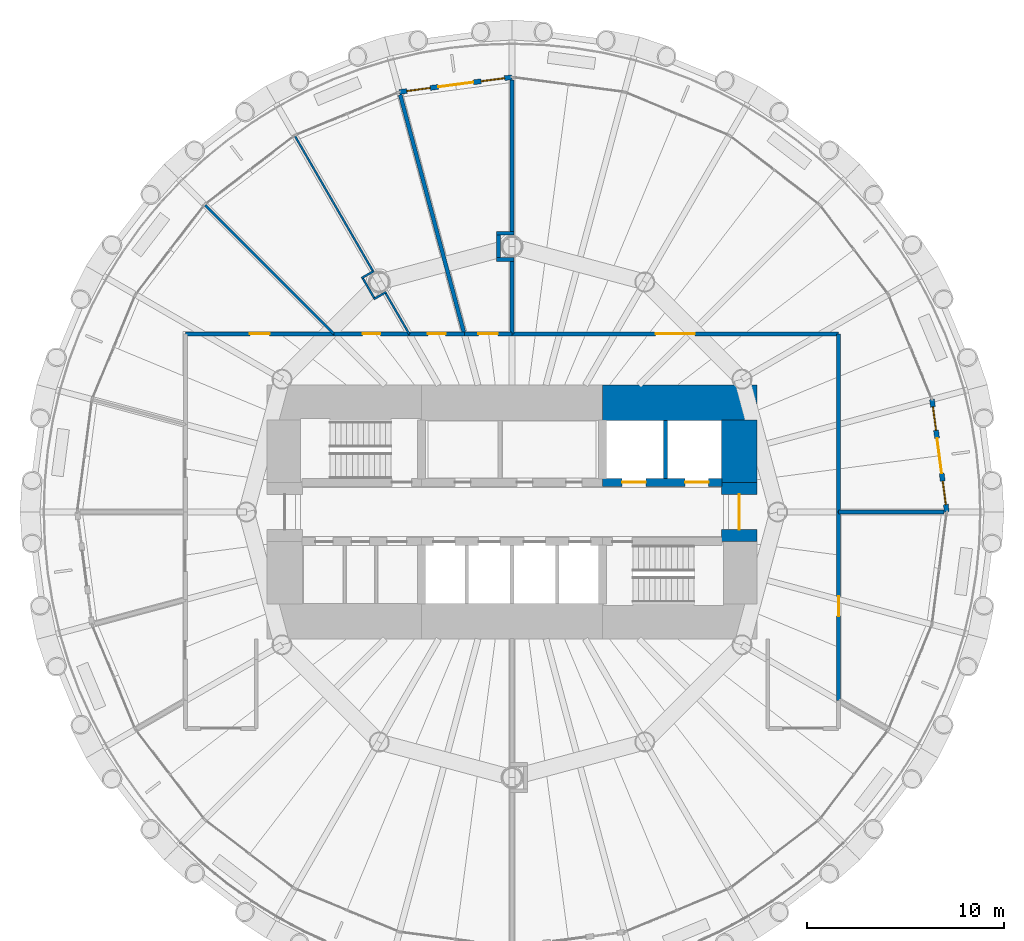
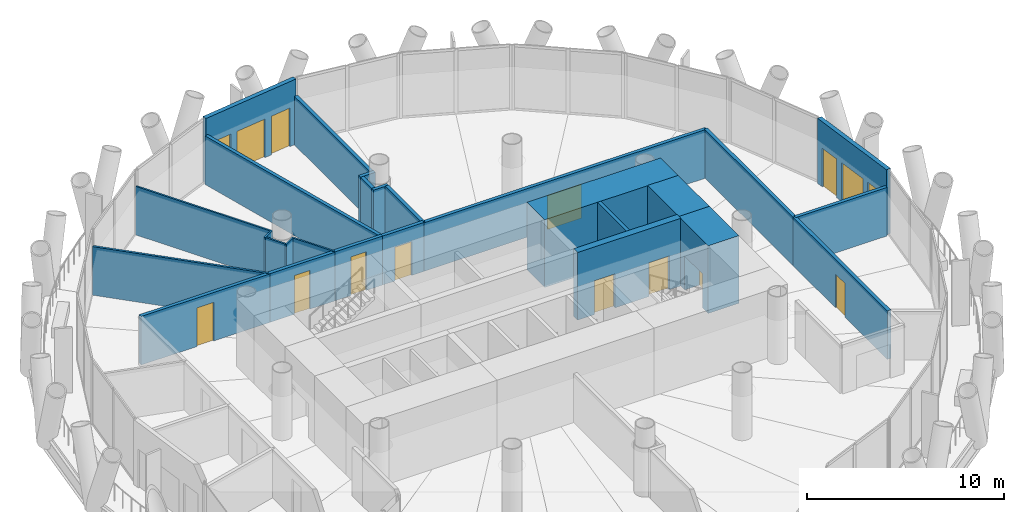
# One storey, part 10 of 15: 27 walls, 11 doors, 4 windows, 15 openings.
"""IFC4 building model written with IfcOpenShell, lengths in metres."""

from ifc_helpers import new_model, si_unit, direction, frame, frame_2d, origin, place, context, subcontext, project, spatial, rectangle, extrude, material, layer, layer_set, type_object, element, fill, save


model = new_model("IFC4")

# Units and contexts
model_context = context("Model", 3, precision=1e-05, world=origin(), true_north=direction((0.0, 1.0)))
body_context = subcontext(model_context, "Body", "Model", "MODEL_VIEW")
ifc_project = project(units=[si_unit("LENGTHUNIT", "METRE"), si_unit("AREAUNIT", "SQUARE_METRE"), si_unit("VOLUMEUNIT", "CUBIC_METRE"), si_unit("PLANEANGLEUNIT", "RADIAN"), si_unit("MASSUNIT", "GRAM", prefix="KILO")], contexts=[model_context])

# Site, building, storey
site_placement = place(None, origin())
site = spatial("IfcSite", under=ifc_project, at=site_placement, CompositionType="ELEMENT")
building_placement = place(site_placement, origin())
building = spatial("IfcBuilding", under=site, at=building_placement, Name="Qaws Media Tower", CompositionType="ELEMENT")
storey_placement = place(building_placement, frame((0.0, 0.0, 177.199951171875)))
storey = spatial("IfcBuildingStorey", under=building, at=storey_placement, Name="L40", CompositionType="ELEMENT", Elevation=177.199951171875)

# Wall, openings, door, windows
ifc_material_1 = material(Name="Precast concrete, exposed finish", Category="concrete")
ifc_layer_1 = layer(ifc_material_1, 0.25)
ifc_layer_set_1 = layer_set([ifc_layer_1], Name="Balcony door wall 250")
wall_type_1 = type_object("IfcWallType", Name="Balcony door wall 250", PredefinedType="SOLIDWALL", material=ifc_layer_set_1)
wall_1_placement = place(storey_placement, frame((82.10009765625, 50.0, 0.0), z_axis=(0.0, 0.0, 1.0), x_axis=(-0.130547557269, 0.991442048378, 0.0)))
wall_1 = element("IfcWall", 1, at=wall_1_placement, inside=storey, type_object=wall_type_1, Name="W221 EW1 balcony door wall L40-01", PredefinedType="SOLIDWALL", context=body_context, shape_type="SweptSolid", body=[
    extrude(rectangle(XDim=5.769287109375, YDim=0.25, at=frame_2d((2.884765625, 0.0))), origin(), (0.0, 0.0, 1.0), 4.0400390625),
])
opening_1_placement = place(wall_1_placement, frame((1.984619140625, 0.0, 0.0)))
opening_1 = element("IfcOpeningElement", 2, at=opening_1_placement, cuts=wall_1, Name="Opening D7", PredefinedType="OPENING", context=body_context, shape_type="SweptSolid", body=[
    extrude(rectangle(XDim=1.800048828125, YDim=2.39990234375, at=frame_2d((0.89990234375, 1.199951171875))), frame((0.0, 0.135009765625, 0.0), z_axis=(0.0, -1.0, 0.0), x_axis=(1.0, 0.0, 0.0)), (0.0, 0.0, 1.0), 0.27001953125),
])
opening_2_placement = place(wall_1_placement, frame((0.384521484375, 0.0, 0.0)))
opening_2 = element("IfcOpeningElement", 3, at=opening_2_placement, cuts=wall_1, Name="Opening W1", PredefinedType="OPENING", context=body_context, shape_type="SweptSolid", body=[
    extrude(rectangle(XDim=1.199951171875, YDim=2.39990234375, at=frame_2d((0.60009765625, 1.199951171875))), frame((0.0, 0.135009765625, 0.0), z_axis=(0.0, -1.0, 0.0), x_axis=(1.0, 0.0, 0.0)), (0.0, 0.0, 1.0), 0.27001953125),
])
opening_3_placement = place(wall_1_placement, frame((4.1845703125, 0.0, 0.0)))
opening_3 = element("IfcOpeningElement", 4, at=opening_3_placement, cuts=wall_1, Name="Opening W1", PredefinedType="OPENING", context=body_context, shape_type="SweptSolid", body=[
    extrude(rectangle(XDim=1.199951171875, YDim=2.39990234375, at=frame_2d((0.60009765625, 1.199951171875))), frame((0.0, 0.135009765625, 0.0), z_axis=(0.0, -1.0, 0.0), x_axis=(1.0, 0.0, 0.0)), (0.0, 0.0, 1.0), 0.27001953125),
])
ifc_material_2 = material(Name="Aluminium and clear glass", Category="aluminium")
door_type_1 = type_object("IfcDoorType", Name="Balcony door pair 1800", OperationType="DOUBLE_DOOR_SLIDING", PredefinedType="DOOR", material=ifc_material_2)
door_1_placement = place(opening_1_placement, origin())
door_1 = element("IfcDoor", 5, at=door_1_placement, inside=storey, type_object=door_type_1, Name="D7 balcony door L40-01 in wall W221", OperationType="DOUBLE_DOOR_SLIDING", OverallHeight=2.39990234375, OverallWidth=1.800048828125, PredefinedType="DOOR", context=body_context, shape_type="SweptSolid", body=[
    extrude(rectangle(XDim=1.800048828125, YDim=2.39990234375, at=frame_2d((0.89990234375, 1.199951171875))), frame((0.0, 0.02490234375, 0.0), z_axis=(0.0, -1.0, 0.0), x_axis=(1.0, 0.0, 0.0)), (0.0, 0.0, 1.0), 0.050048828125),
])
fill(opening_1, door_1)
ifc_material_3 = material(Name="Aluminium and clear glass", Category="aluminium")
window_type = type_object("IfcWindowType", Name="Balcony side window 1200", PartitioningType="SINGLE_PANEL", PredefinedType="WINDOW", material=ifc_material_3)
window_1_placement = place(opening_2_placement, origin())
window_1 = element("IfcWindow", 6, at=window_1_placement, inside=storey, type_object=window_type, Name="W1 balcony side light L40-01L", OverallHeight=2.39990234375, OverallWidth=1.199951171875, PartitioningType="SINGLE_PANEL", PredefinedType="WINDOW", context=body_context, shape_type="SweptSolid", body=[
    extrude(rectangle(XDim=1.199951171875, YDim=2.39990234375, at=frame_2d((0.60009765625, 1.199951171875))), frame((0.0, 0.030029296875, 0.0), z_axis=(0.0, -1.0, 0.0), x_axis=(1.0, 0.0, 0.0)), (0.0, 0.0, 1.0), 0.06005859375),
])
fill(opening_2, window_1)
window_2_placement = place(opening_3_placement, origin())
window_2 = element("IfcWindow", 7, at=window_2_placement, inside=storey, type_object=window_type, Name="W1 balcony side light L40-01R", OverallHeight=2.39990234375, OverallWidth=1.199951171875, PartitioningType="SINGLE_PANEL", PredefinedType="WINDOW", context=body_context, shape_type="SweptSolid", body=[
    extrude(rectangle(XDim=1.199951171875, YDim=2.39990234375, at=frame_2d((0.60009765625, 1.199951171875))), frame((0.0, 0.030029296875, 0.0), z_axis=(0.0, -1.0, 0.0), x_axis=(1.0, 0.0, 0.0)), (0.0, 0.0, 1.0), 0.06005859375),
])
fill(opening_3, window_2)

wall_2_placement = place(storey_placement, frame((60.0, 72.10009765625, 0.0), z_axis=(0.0, 0.0, 1.0), x_axis=(-0.991442048378, -0.130547557269, 0.0)))
wall_2 = element("IfcWall", 8, at=wall_2_placement, inside=storey, type_object=wall_type_1, Name="W220 EW1 balcony door wall L40-07", PredefinedType="SOLIDWALL", context=body_context, shape_type="SweptSolid", body=[
    extrude(rectangle(XDim=5.769287109375, YDim=0.25, at=frame_2d((2.884765625, 0.0))), origin(), (0.0, 0.0, 1.0), 4.0400390625),
])
opening_4_placement = place(wall_2_placement, frame((1.984619140625, 0.0, 0.0)))
opening_4 = element("IfcOpeningElement", 9, at=opening_4_placement, cuts=wall_2, Name="Opening D7", PredefinedType="OPENING", context=body_context, shape_type="SweptSolid", body=[
    extrude(rectangle(XDim=1.800048828125, YDim=2.39990234375, at=frame_2d((0.89990234375, 1.199951171875))), frame((0.0, 0.135009765625, 0.0), z_axis=(0.0, -1.0, 0.0), x_axis=(1.0, 0.0, 0.0)), (0.0, 0.0, 1.0), 0.27001953125),
])
opening_5_placement = place(wall_2_placement, frame((0.384521484375, 0.0, 0.0)))
opening_5 = element("IfcOpeningElement", 10, at=opening_5_placement, cuts=wall_2, Name="Opening W1", PredefinedType="OPENING", context=body_context, shape_type="SweptSolid", body=[
    extrude(rectangle(XDim=1.199951171875, YDim=2.39990234375, at=frame_2d((0.60009765625, 1.199951171875))), frame((0.0, 0.135009765625, 0.0), z_axis=(0.0, -1.0, 0.0), x_axis=(1.0, 0.0, 0.0)), (0.0, 0.0, 1.0), 0.27001953125),
])
opening_6_placement = place(wall_2_placement, frame((4.1845703125, 0.0, 0.0)))
opening_6 = element("IfcOpeningElement", 11, at=opening_6_placement, cuts=wall_2, Name="Opening W1", PredefinedType="OPENING", context=body_context, shape_type="SweptSolid", body=[
    extrude(rectangle(XDim=1.199951171875, YDim=2.39990234375, at=frame_2d((0.60009765625, 1.199951171875))), frame((0.0, 0.135009765625, 0.0), z_axis=(0.0, -1.0, 0.0), x_axis=(1.0, 0.0, 0.0)), (0.0, 0.0, 1.0), 0.27001953125),
])
door_2_placement = place(opening_4_placement, origin())
door_2 = element("IfcDoor", 12, at=door_2_placement, inside=storey, type_object=door_type_1, Name="D7 balcony door L40-07 in wall W220", OperationType="DOUBLE_DOOR_SLIDING", OverallHeight=2.39990234375, OverallWidth=1.800048828125, PredefinedType="DOOR", context=body_context, shape_type="SweptSolid", body=[
    extrude(rectangle(XDim=1.800048828125, YDim=2.39990234375, at=frame_2d((0.89990234375, 1.199951171875))), frame((0.0, 0.02490234375, 0.0), z_axis=(0.0, -1.0, 0.0), x_axis=(1.0, 0.0, 0.0)), (0.0, 0.0, 1.0), 0.050048828125),
])
fill(opening_4, door_2)
window_3_placement = place(opening_5_placement, origin())
window_3 = element("IfcWindow", 13, at=window_3_placement, inside=storey, type_object=window_type, Name="W1 balcony side light L40-07L", OverallHeight=2.39990234375, OverallWidth=1.199951171875, PartitioningType="SINGLE_PANEL", PredefinedType="WINDOW", context=body_context, shape_type="SweptSolid", body=[
    extrude(rectangle(XDim=1.199951171875, YDim=2.39990234375, at=frame_2d((0.60009765625, 1.199951171875))), frame((0.0, 0.030029296875, 0.0), z_axis=(0.0, -1.0, 0.0), x_axis=(1.0, 0.0, 0.0)), (0.0, 0.0, 1.0), 0.06005859375),
])
fill(opening_5, window_3)
window_4_placement = place(opening_6_placement, origin())
window_4 = element("IfcWindow", 14, at=window_4_placement, inside=storey, type_object=window_type, Name="W1 balcony side light L40-07R", OverallHeight=2.39990234375, OverallWidth=1.199951171875, PartitioningType="SINGLE_PANEL", PredefinedType="WINDOW", context=body_context, shape_type="SweptSolid", body=[
    extrude(rectangle(XDim=1.199951171875, YDim=2.39990234375, at=frame_2d((0.60009765625, 1.199951171875))), frame((0.0, 0.030029296875, 0.0), z_axis=(0.0, -1.0, 0.0), x_axis=(1.0, 0.0, 0.0)), (0.0, 0.0, 1.0), 0.06005859375),
])
fill(opening_6, window_4)

# Wall, openings, doors
ifc_material_4 = material(Name="Concrete C60/75", Category="concrete")
ifc_layer_2 = layer(ifc_material_4, 0.39990234375)
ifc_layer_set_2 = layer_set([ifc_layer_2], Name="Core inner wall 400")
wall_type_2 = type_object("IfcWallType", Name="Core inner wall 400", PredefinedType="SHEAR", material=ifc_layer_set_2)
wall_3_placement = place(storey_placement, frame((64.60009765625, 51.5, 0.0), z_axis=(0.0, 0.0, 1.0), x_axis=(1.0, 0.0, 0.0)))
wall_3 = element("IfcWall", 15, at=wall_3_placement, inside=storey, type_object=wall_type_2, Name="W326 SW4 core wall SPNE L40", PredefinedType="SHEAR", context=body_context, shape_type="SweptSolid", body=[
    extrude(rectangle(XDim=6.06982421875, YDim=0.39990234375, at=frame_2d((3.034912109375, 0.0))), origin(), (0.0, 0.0, 1.0), 4.199951171875),
])
opening_7_placement = place(wall_3_placement, frame((1.0, 0.0, 0.0)))
opening_7 = element("IfcOpeningElement", 16, at=opening_7_placement, cuts=wall_3, Name="Opening LD2", PredefinedType="OPENING", context=body_context, shape_type="SweptSolid", body=[
    extrude(rectangle(XDim=1.199951171875, YDim=2.10009765625, at=frame_2d((0.60009765625, 1.050048828125))), frame((0.0, 0.2099609375, 0.0), z_axis=(0.0, -1.0, 0.0), x_axis=(1.0, 0.0, 0.0)), (0.0, 0.0, 1.0), 0.419921875),
])
opening_8_placement = place(wall_3_placement, frame((4.199951171875, 0.0, 0.0)))
opening_8 = element("IfcOpeningElement", 17, at=opening_8_placement, cuts=wall_3, Name="Opening LD2", PredefinedType="OPENING", context=body_context, shape_type="SweptSolid", body=[
    extrude(rectangle(XDim=1.199951171875, YDim=2.10009765625, at=frame_2d((0.60009765625, 1.050048828125))), frame((0.0, 0.2099609375, 0.0), z_axis=(0.0, -1.0, 0.0), x_axis=(1.0, 0.0, 0.0)), (0.0, 0.0, 1.0), 0.419921875),
])
ifc_material_5 = material(Name="Steel, fire rated", Category="steel")
door_type_2 = type_object("IfcDoorType", Name="Lift landing door 1200", OperationType="SLIDING_TO_LEFT", PredefinedType="DOOR", material=ifc_material_5)
door_3_placement = place(opening_7_placement, origin())
door_3 = element("IfcDoor", 18, at=door_3_placement, inside=storey, type_object=door_type_2, Name="FL1 landing door L40 in wall W326", OperationType="SLIDING_TO_LEFT", OverallHeight=2.10009765625, OverallWidth=1.199951171875, PredefinedType="DOOR", context=body_context, shape_type="SweptSolid", body=[
    extrude(rectangle(XDim=1.199951171875, YDim=2.10009765625, at=frame_2d((0.60009765625, 1.050048828125))), frame((0.0, 0.02490234375, 0.0), z_axis=(0.0, -1.0, 0.0), x_axis=(1.0, 0.0, 0.0)), (0.0, 0.0, 1.0), 0.050048828125),
])
fill(opening_7, door_3)
door_4_placement = place(opening_8_placement, origin())
door_4 = element("IfcDoor", 19, at=door_4_placement, inside=storey, type_object=door_type_2, Name="FL2 landing door L40 in wall W326", OperationType="SLIDING_TO_LEFT", OverallHeight=2.10009765625, OverallWidth=1.199951171875, PredefinedType="DOOR", context=body_context, shape_type="SweptSolid", body=[
    extrude(rectangle(XDim=1.199951171875, YDim=2.10009765625, at=frame_2d((0.60009765625, 1.050048828125))), frame((0.0, 0.02490234375, 0.0), z_axis=(0.0, -1.0, 0.0), x_axis=(1.0, 0.0, 0.0)), (0.0, 0.0, 1.0), 0.050048828125),
])
fill(opening_8, door_4)

# Wall
ifc_material_6 = material(Name="Concrete C60/75", Category="concrete")
ifc_layer_3 = layer(ifc_material_6, 1.800048828125)
ifc_layer_set_3 = layer_set([ifc_layer_3], Name="Core wall 1800")
wall_type_3 = type_object("IfcWallType", Name="Core wall 1800", PredefinedType="SHEAR", material=ifc_layer_set_3)
wall_4_placement = place(storey_placement, frame((64.60009765625, 55.550048828125, 0.0), z_axis=(0.0, 0.0, 1.0), x_axis=(1.0, 0.0, 0.0)))
element("IfcWall", 20, at=wall_4_placement, inside=storey, type_object=wall_type_3, Name="W423 SW11 core wall NE L40", PredefinedType="SHEAR", context=body_context, shape_type="SweptSolid", body=[
    extrude(rectangle(XDim=7.849853515625, YDim=1.800048828125, at=frame_2d((3.9248046875, 0.0))), origin(), (0.0, 0.0, 1.0), 4.199951171875),
])

# Wall, opening, door
wall_5_placement = place(storey_placement, frame((71.550048828125, 48.5, 0.0), z_axis=(0.0, 0.0, 1.0), x_axis=(0.0, 1.0, 0.0)))
wall_5 = element("IfcWall", 21, at=wall_5_placement, inside=storey, type_object=wall_type_3, Name="W427 SW11 core wall E L40", PredefinedType="SHEAR", context=body_context, shape_type="SweptSolid", body=[
    extrude(rectangle(XDim=3.0, YDim=1.800048828125, at=frame_2d((1.5, 0.0))), origin(), (0.0, 0.0, 1.0), 4.199951171875),
])
opening_9_placement = place(wall_5_placement, frame((0.60009765625, 0.0, 0.0)))
opening_9 = element("IfcOpeningElement", 22, at=opening_9_placement, cuts=wall_5, Name="Opening D2", PredefinedType="OPENING", context=body_context, shape_type="SweptSolid", body=[
    extrude(rectangle(XDim=1.800048828125, YDim=2.10009765625, at=frame_2d((0.89990234375, 1.050048828125))), frame((0.0, 0.909912109375, 0.0), z_axis=(0.0, -1.0, 0.0), x_axis=(1.0, 0.0, 0.0)), (0.0, 0.0, 1.0), 1.820068359375),
])
ifc_material_7 = material(Name="Steel and glass, fire rated", Category="steel")
door_type_3 = type_object("IfcDoorType", Name="Lobby door pair 1800 FD60", OperationType="DOUBLE_DOOR_DOUBLE_SWING", PredefinedType="DOOR", material=ifc_material_7)
door_5_placement = place(opening_9_placement, origin())
door_5 = element("IfcDoor", 23, at=door_5_placement, inside=storey, type_object=door_type_3, Name="D2 core lobby door E L40 in wall W427", OperationType="DOUBLE_DOOR_DOUBLE_SWING", OverallHeight=2.10009765625, OverallWidth=1.800048828125, PredefinedType="DOOR", context=body_context, shape_type="SweptSolid", body=[
    extrude(rectangle(XDim=1.800048828125, YDim=2.10009765625, at=frame_2d((0.89990234375, 1.050048828125))), frame((0.0, 0.02490234375, 0.0), z_axis=(0.0, -1.0, 0.0), x_axis=(1.0, 0.0, 0.0)), (0.0, 0.0, 1.0), 0.050048828125),
])
fill(opening_9, door_5)

# Walls
wall_6_placement = place(storey_placement, frame((71.550048828125, 51.5, 0.0), z_axis=(0.0, 0.0, 1.0), x_axis=(0.0, 1.0, 0.0)))
element("IfcWall", 24, at=wall_6_placement, inside=storey, type_object=wall_type_3, Name="W425 SW11 core wall EN L40", PredefinedType="SHEAR", context=body_context, shape_type="SweptSolid", body=[
    extrude(rectangle(XDim=3.169921875, YDim=1.800048828125, at=frame_2d((1.5849609375, 0.0))), origin(), (0.0, 0.0, 1.0), 4.199951171875),
])
ifc_material_8 = material(Name="Two layers gypsum board each side on 75 studs, insulated", Category="gypsum")
ifc_layer_4 = layer(ifc_material_8, 0.125)
ifc_layer_set_4 = layer_set([ifc_layer_4], Name="Meeting room partition 125 Rw 48")
wall_type_4 = type_object("IfcWallType", Name="Meeting room partition 125 Rw 48", PredefinedType="PARTITIONING", material=ifc_layer_set_4)
wall_7_placement = place(storey_placement, frame((50.948974609375, 59.051025390625, 0.0), z_axis=(0.0, 0.0, 1.0), x_axis=(-0.707106781187, 0.707106781187, 0.0)))
element("IfcWall", 25, at=wall_7_placement, inside=storey, type_object=wall_type_4, Name="W587 IW5 partition L40", PredefinedType="PARTITIONING", context=body_context, shape_type="SweptSolid", body=[
    extrude(rectangle(XDim=9.260009765625, YDim=0.125, at=frame_2d((4.6298828125, 0.0))), origin(), (0.0, 0.0, 1.0), 3.011962890625),
])
ifc_material_9 = material(Name="Gypsum board on 70 metal studs, single layer each side", Category="gypsum")
ifc_layer_5 = layer(ifc_material_9, 0.10009765625)
ifc_layer_set_5 = layer_set([ifc_layer_5], Name="Office stud partition 100")
wall_type_5 = type_object("IfcWallType", Name="Office stud partition 100", PredefinedType="PARTITIONING", material=ifc_layer_set_5)
for number, where, z_axis, x_axis, name in (
    (26, (53.602294921875, 61.18115234375, 0.0), (0.0, 0.0, 1.0), (-0.866068339032, -0.499925626596, 0.0), "W686 IW4 partition return L40"),
    (27, (52.984375, 62.25146484375, 0.0), (0.0, 0.0, 1.0), (-0.866068339032, -0.499925626596, 0.0), "W684 IW4 partition return L40"),
):
    element("IfcWall", number, at=place(storey_placement, frame(where, z_axis=z_axis, x_axis=x_axis)), inside=storey, type_object=wall_type_5, Name=name, PredefinedType="PARTITIONING", context=body_context, shape_type="SweptSolid", body=[
        extrude(rectangle(XDim=0.72802734375, YDim=0.10009765625, at=frame_2d((0.364013671875, 0.0))), origin(), (0.0, 0.0, 1.0), 3.011962890625),
    ])
wall_8_placement = place(storey_placement, frame((52.989990234375, 60.885498046875, 0.0), z_axis=(0.0, 0.0, 1.0), x_axis=(-0.499976747263, 0.866038828342, 0.0)))
element("IfcWall", 28, at=wall_8_placement, inside=storey, type_object=wall_type_5, Name="W685 IW4 partition return L40", PredefinedType="PARTITIONING", context=body_context, shape_type="SweptSolid", body=[
    extrude(rectangle(XDim=1.1357421875, YDim=0.10009765625, at=frame_2d((0.56787109375, 0.0))), origin(), (0.0, 0.0, 1.0), 3.011962890625),
])
wall_9_placement = place(storey_placement, frame((54.780029296875, 59.041259765625, 0.0), z_axis=(0.0, 0.0, 1.0), x_axis=(-0.500014005679, 0.866017317451, 0.0)))
element("IfcWall", 29, at=wall_9_placement, inside=storey, type_object=wall_type_5, Name="W674 IW4 partition L40", PredefinedType="PARTITIONING", context=body_context, shape_type="SweptSolid", body=[
    extrude(rectangle(XDim=2.39208984375, YDim=0.10009765625, at=frame_2d((1.196044921875, 0.0))), origin(), (0.0, 0.0, 1.0), 3.0400390625),
])
wall_10_placement = place(storey_placement, frame((52.916015625, 62.269775390625, 0.0), z_axis=(0.0, 0.0, 1.0), x_axis=(-0.500001837861, 0.866024342692, 0.0)))
element("IfcWall", 30, at=wall_10_placement, inside=storey, type_object=wall_type_5, Name="W687 IW4 partition L40", PredefinedType="PARTITIONING", context=body_context, shape_type="SweptSolid", body=[
    extrude(rectangle(XDim=7.89208984375, YDim=0.10009765625, at=frame_2d((3.946044921875, 0.0))), origin(), (0.0, 0.0, 1.0), 3.011962890625),
])

# Wall, opening, door
ifc_material_10 = material(Name="Gypsum board on galvanised metal studs, acoustic double stud, deflection head", Category="gypsum")
ifc_layer_6 = layer(ifc_material_10, 0.199951171875)
ifc_layer_set_6 = layer_set([ifc_layer_6], Name="Room partition 200")
wall_type_6 = type_object("IfcWallType", Name="Room partition 200", PredefinedType="PARTITIONING", material=ifc_layer_set_6)
wall_11_placement = place(storey_placement, frame((43.39990234375, 59.050048828125, 0.0), z_axis=(0.0, 0.0, 1.0), x_axis=(1.0, 0.0, 0.0)))
wall_11 = element("IfcWall", 31, at=wall_11_placement, inside=storey, type_object=wall_type_6, Name="W1390 IW3 partition L40", PredefinedType="PARTITIONING", context=body_context, shape_type="SweptSolid", body=[
    extrude(rectangle(XDim=7.550048828125, YDim=0.199951171875, at=frame_2d((3.77490234375, 0.0))), origin(), (0.0, 0.0, 1.0), 3.011962890625),
])
opening_10_placement = place(wall_11_placement, frame((3.27490234375, 0.0, 0.0)))
opening_10 = element("IfcOpeningElement", 32, at=opening_10_placement, cuts=wall_11, Name="Opening D13", PredefinedType="OPENING", context=body_context, shape_type="SweptSolid", body=[
    extrude(rectangle(XDim=1.0, YDim=2.39990234375, at=frame_2d((0.5, 1.199951171875))), frame((0.0, 0.10986328125, 0.0), z_axis=(0.0, -1.0, 0.0), x_axis=(1.0, 0.0, 0.0)), (0.0, 0.0, 1.0), 0.219970703125),
])
ifc_material_11 = material(Name="Frameless toughened glass, acoustic seals", Category="glass")
door_type_4 = type_object("IfcDoorType", Name="Glazed meeting room door 1000x2400", OperationType="SINGLE_SWING_LEFT", PredefinedType="DOOR", material=ifc_material_11)
door_6_placement = place(opening_10_placement, origin())
door_6 = element("IfcDoor", 33, at=door_6_placement, inside=storey, type_object=door_type_4, Name="D13 Meeting room door L40 in wall W1390", OperationType="SINGLE_SWING_LEFT", OverallHeight=2.39990234375, OverallWidth=1.0, PredefinedType="DOOR", context=body_context, shape_type="SweptSolid", body=[
    extrude(rectangle(XDim=1.0, YDim=2.39990234375, at=frame_2d((0.5, 1.199951171875))), frame((0.0, 0.02490234375, 0.0), z_axis=(0.0, -1.0, 0.0), x_axis=(1.0, 0.0, 0.0)), (0.0, 0.0, 1.0), 0.050048828125),
])
fill(opening_10, door_6)

wall_12_placement = place(storey_placement, frame((50.949951171875, 59.050048828125, 0.0), z_axis=(0.0, 0.0, 1.0), x_axis=(1.0, 0.0, 0.0)))
wall_12 = element("IfcWall", 34, at=wall_12_placement, inside=storey, type_object=wall_type_6, Name="W1281 IW3 partition L40", PredefinedType="PARTITIONING", context=body_context, shape_type="SweptSolid", body=[
    extrude(rectangle(XDim=3.824951171875, YDim=0.199951171875, at=frame_2d((1.91259765625, 0.0))), origin(), (0.0, 0.0, 1.0), 3.02001953125),
])
opening_11_placement = place(wall_12_placement, frame((1.46240234375, 0.0, 0.0)))
opening_11 = element("IfcOpeningElement", 35, at=opening_11_placement, cuts=wall_12, Name="Opening D12", PredefinedType="OPENING", context=body_context, shape_type="SweptSolid", body=[
    extrude(rectangle(XDim=0.89990234375, YDim=2.39990234375, at=frame_2d((0.449951171875, 1.199951171875))), frame((0.0, 0.10986328125, 0.0), z_axis=(0.0, -1.0, 0.0), x_axis=(1.0, 0.0, 0.0)), (0.0, 0.0, 1.0), 0.219970703125),
])
ifc_material_12 = material(Name="Timber veneered, full height", Category="wood")
door_type_5 = type_object("IfcDoorType", Name="Office door 900x2400", OperationType="SINGLE_SWING_LEFT", PredefinedType="DOOR", material=ifc_material_12)
door_7_placement = place(opening_11_placement, origin())
door_7 = element("IfcDoor", 36, at=door_7_placement, inside=storey, type_object=door_type_5, Name="D12 Office door L40 in wall W1281", OperationType="SINGLE_SWING_LEFT", OverallHeight=2.39990234375, OverallWidth=0.89990234375, PredefinedType="DOOR", context=body_context, shape_type="SweptSolid", body=[
    extrude(rectangle(XDim=0.89990234375, YDim=2.39990234375, at=frame_2d((0.449951171875, 1.199951171875))), frame((0.0, 0.02490234375, 0.0), z_axis=(0.0, -1.0, 0.0), x_axis=(1.0, 0.0, 0.0)), (0.0, 0.0, 1.0), 0.050048828125),
])
fill(opening_11, door_7)

wall_13_placement = place(storey_placement, frame((54.77490234375, 59.050048828125, 0.0), z_axis=(0.0, 0.0, 1.0), x_axis=(1.0, 0.0, 0.0)))
wall_13 = element("IfcWall", 37, at=wall_13_placement, inside=storey, type_object=wall_type_6, Name="W1282 IW3 partition L40", PredefinedType="PARTITIONING", context=body_context, shape_type="SweptSolid", body=[
    extrude(rectangle(XDim=2.80029296875, YDim=0.199951171875, at=frame_2d((1.400146484375, 0.0))), origin(), (0.0, 0.0, 1.0), 3.0400390625),
])
opening_12_placement = place(wall_13_placement, frame((0.949951171875, 0.0, 0.0)))
opening_12 = element("IfcOpeningElement", 38, at=opening_12_placement, cuts=wall_13, Name="Opening D12", PredefinedType="OPENING", context=body_context, shape_type="SweptSolid", body=[
    extrude(rectangle(XDim=0.89990234375, YDim=2.39990234375, at=frame_2d((0.449951171875, 1.199951171875))), frame((0.0, 0.10986328125, 0.0), z_axis=(0.0, -1.0, 0.0), x_axis=(1.0, 0.0, 0.0)), (0.0, 0.0, 1.0), 0.219970703125),
])
door_8_placement = place(opening_12_placement, origin())
door_8 = element("IfcDoor", 39, at=door_8_placement, inside=storey, type_object=door_type_5, Name="D12 Office door L40 in wall W1282", OperationType="SINGLE_SWING_LEFT", OverallHeight=2.39990234375, OverallWidth=0.89990234375, PredefinedType="DOOR", context=body_context, shape_type="SweptSolid", body=[
    extrude(rectangle(XDim=0.89990234375, YDim=2.39990234375, at=frame_2d((0.449951171875, 1.199951171875))), frame((0.0, 0.02490234375, 0.0), z_axis=(0.0, -1.0, 0.0), x_axis=(1.0, 0.0, 0.0)), (0.0, 0.0, 1.0), 0.050048828125),
])
fill(opening_12, door_8)

wall_14_placement = place(storey_placement, frame((57.5751953125, 59.050048828125, 0.0), z_axis=(0.0, 0.0, 1.0), x_axis=(1.0, 0.0, 0.0)))
wall_14 = element("IfcWall", 40, at=wall_14_placement, inside=storey, type_object=wall_type_6, Name="W1283 IW3 partition L40", PredefinedType="PARTITIONING", context=body_context, shape_type="SweptSolid", body=[
    extrude(rectangle(XDim=2.4248046875, YDim=0.199951171875, at=frame_2d((1.21240234375, 0.0))), origin(), (0.0, 0.0, 1.0), 3.0400390625),
])
opening_13_placement = place(wall_14_placement, frame((0.71240234375, 0.0, 0.0)))
opening_13 = element("IfcOpeningElement", 41, at=opening_13_placement, cuts=wall_14, Name="Opening D5", PredefinedType="OPENING", context=body_context, shape_type="SweptSolid", body=[
    extrude(rectangle(XDim=1.0, YDim=2.10009765625, at=frame_2d((0.5, 1.050048828125))), frame((0.0, 0.10986328125, 0.0), z_axis=(0.0, -1.0, 0.0), x_axis=(1.0, 0.0, 0.0)), (0.0, 0.0, 1.0), 0.219970703125),
])
ifc_material_13 = material(Name="Timber veneered, acoustic seal", Category="wood")
door_type_6 = type_object("IfcDoorType", Name="Room door 1000", OperationType="SINGLE_SWING_LEFT", PredefinedType="DOOR", material=ifc_material_13)
door_9_placement = place(opening_13_placement, origin())
door_9 = element("IfcDoor", 42, at=door_9_placement, inside=storey, type_object=door_type_6, Name="D5 Strategy reception door L40 in wall W1283", OperationType="SINGLE_SWING_LEFT", OverallHeight=2.10009765625, OverallWidth=1.0, PredefinedType="DOOR", context=body_context, shape_type="SweptSolid", body=[
    extrude(rectangle(XDim=1.0, YDim=2.10009765625, at=frame_2d((0.5, 1.050048828125))), frame((0.0, 0.02490234375, 0.0), z_axis=(0.0, -1.0, 0.0), x_axis=(1.0, 0.0, 0.0)), (0.0, 0.0, 1.0), 0.050048828125),
])
fill(opening_13, door_9)

wall_15_placement = place(storey_placement, frame((60.0, 59.050048828125, 0.0), z_axis=(0.0, 0.0, 1.0), x_axis=(1.0, 0.0, 0.0)))
wall_15 = element("IfcWall", 43, at=wall_15_placement, inside=storey, type_object=wall_type_6, Name="W1397 IW3 partition L40", PredefinedType="PARTITIONING", context=body_context, shape_type="SweptSolid", body=[
    extrude(rectangle(XDim=16.60009765625, YDim=0.199951171875, at=frame_2d((8.300048828125, 0.0))), origin(), (0.0, 0.0, 1.0), 3.011962890625),
])
opening_14_placement = place(wall_15_placement, frame((7.300048828125, 0.0, 0.0)))
opening_14 = element("IfcOpeningElement", 44, at=opening_14_placement, cuts=wall_15, Name="Opening D6", PredefinedType="OPENING", context=body_context, shape_type="SweptSolid", body=[
    extrude(rectangle(XDim=2.0, YDim=2.10009765625, at=frame_2d((1.0, 1.050048828125))), frame((0.0, 0.10986328125, 0.0), z_axis=(0.0, -1.0, 0.0), x_axis=(1.0, 0.0, 0.0)), (0.0, 0.0, 1.0), 0.219970703125),
])
ifc_material_14 = material(Name="Steel, acoustic, fire rated", Category="steel")
door_type_7 = type_object("IfcDoorType", Name="Room door pair 2000", OperationType="DOUBLE_DOOR_DOUBLE_SWING", PredefinedType="DOOR", material=ifc_material_14)
door_10_placement = place(opening_14_placement, origin())
door_10 = element("IfcDoor", 45, at=door_10_placement, inside=storey, type_object=door_type_7, Name="D6 Strategy office door L40 in wall W1397", OperationType="DOUBLE_DOOR_DOUBLE_SWING", OverallHeight=2.10009765625, OverallWidth=2.0, PredefinedType="DOOR", context=body_context, shape_type="SweptSolid", body=[
    extrude(rectangle(XDim=2.0, YDim=2.10009765625, at=frame_2d((1.0, 1.050048828125))), frame((0.0, 0.02490234375, 0.0), z_axis=(0.0, -1.0, 0.0), x_axis=(1.0, 0.0, 0.0)), (0.0, 0.0, 1.0), 0.050048828125),
])
fill(opening_14, door_10)

# Wall
wall_16_placement = place(storey_placement, frame((76.60009765625, 59.050048828125, 0.0), z_axis=(0.0, 0.0, 1.0), x_axis=(0.0, -1.0, 0.0)))
element("IfcWall", 46, at=wall_16_placement, inside=storey, type_object=wall_type_6, Name="W1403 IW3 partition L40", PredefinedType="PARTITIONING", context=body_context, shape_type="SweptSolid", body=[
    extrude(rectangle(XDim=9.050048828125, YDim=0.199951171875, at=frame_2d((4.52490234375, 0.0))), origin(), (0.0, 0.0, 1.0), 3.011962890625),
])

# Wall, opening, door
wall_17_placement = place(storey_placement, frame((76.60009765625, 50.0, 0.0), z_axis=(0.0, 0.0, 1.0), x_axis=(0.0, -1.0, 0.0)))
wall_17 = element("IfcWall", 47, at=wall_17_placement, inside=storey, type_object=wall_type_6, Name="W1401 IW3 partition L40", PredefinedType="PARTITIONING", context=body_context, shape_type="SweptSolid", body=[
    extrude(rectangle(XDim=9.583984375, YDim=0.199951171875, at=frame_2d((4.7919921875, 0.0))), origin(), (0.0, 0.0, 1.0), 3.011962890625),
])
opening_15_placement = place(wall_17_placement, frame((4.2919921875, 0.0, 0.0)))
opening_15 = element("IfcOpeningElement", 48, at=opening_15_placement, cuts=wall_17, Name="Opening D5", PredefinedType="OPENING", context=body_context, shape_type="SweptSolid", body=[
    extrude(rectangle(XDim=1.0, YDim=2.10009765625, at=frame_2d((0.5, 1.050048828125))), frame((0.0, 0.10986328125, 0.0), z_axis=(0.0, -1.0, 0.0), x_axis=(1.0, 0.0, 0.0)), (0.0, 0.0, 1.0), 0.219970703125),
])
door_11_placement = place(opening_15_placement, origin())
door_11 = element("IfcDoor", 49, at=door_11_placement, inside=storey, type_object=door_type_6, Name="D5 Communications office door L40 in wall W1401", OperationType="SINGLE_SWING_LEFT", OverallHeight=2.10009765625, OverallWidth=1.0, PredefinedType="DOOR", context=body_context, shape_type="SweptSolid", body=[
    extrude(rectangle(XDim=1.0, YDim=2.10009765625, at=frame_2d((0.5, 1.050048828125))), frame((0.0, 0.02490234375, 0.0), z_axis=(0.0, -1.0, 0.0), x_axis=(1.0, 0.0, 0.0)), (0.0, 0.0, 1.0), 0.050048828125),
])
fill(opening_15, door_11)

# Walls
wall_18_placement = place(storey_placement, frame((76.60009765625, 50.0, 0.0), z_axis=(0.0, 0.0, 1.0), x_axis=(1.0, 0.0, 0.0)))
element("IfcWall", 50, at=wall_18_placement, inside=storey, type_object=wall_type_6, Name="W1413 IW3 partition L40", PredefinedType="PARTITIONING", context=body_context, shape_type="SweptSolid", body=[
    extrude(rectangle(XDim=5.35986328125, YDim=0.199951171875, at=frame_2d((2.679931640625, 0.0))), origin(), (0.0, 0.0, 1.0), 3.011962890625),
])
for number, where, z_axis, x_axis, name in (
    (51, (60.10009765625, 62.83203125, 0.0), (0.0, 0.0, 1.0), (-1.0, 0.0, 0.0), "W1348 IW3 partition return L40"),
    (52, (60.10009765625, 64.16796875, 0.0), (0.0, 0.0, 1.0), (-1.0, 0.0, 0.0), "W1349 IW3 partition return L40"),
):
    element("IfcWall", number, at=place(storey_placement, frame(where, z_axis=z_axis, x_axis=x_axis)), inside=storey, type_object=wall_type_6, Name=name, PredefinedType="PARTITIONING", context=body_context, shape_type="SweptSolid", body=[
        extrude(rectangle(XDim=0.878173828125, YDim=0.199951171875, at=frame_2d((0.43896484375, 0.0))), origin(), (0.0, 0.0, 1.0), 3.011962890625),
    ])
wall_19_placement = place(storey_placement, frame((59.322021484375, 62.931884765625, 0.0), z_axis=(0.0, 0.0, 1.0), x_axis=(0.0, 1.0, 0.0)))
element("IfcWall", 53, at=wall_19_placement, inside=storey, type_object=wall_type_6, Name="W1343 IW3 partition return L40", PredefinedType="PARTITIONING", context=body_context, shape_type="SweptSolid", body=[
    extrude(rectangle(XDim=1.13623046875, YDim=0.199951171875, at=frame_2d((0.568115234375, 0.0))), origin(), (0.0, 0.0, 1.0), 3.011962890625),
])
wall_20_placement = place(storey_placement, frame((60.0, 59.0400390625, 0.0), z_axis=(0.0, 0.0, 1.0), x_axis=(0.0, 1.0, 0.0)))
element("IfcWall", 54, at=wall_20_placement, inside=storey, type_object=wall_type_6, Name="W1396 IW3 partition L40", PredefinedType="PARTITIONING", context=body_context, shape_type="SweptSolid", body=[
    extrude(rectangle(XDim=3.69189453125, YDim=0.199951171875, at=frame_2d((1.845947265625, 0.0))), origin(), (0.0, 0.0, 1.0), 3.0400390625),
])
wall_21_placement = place(storey_placement, frame((60.0, 64.26806640625, 0.0), z_axis=(0.0, 0.0, 1.0), x_axis=(0.0, 1.0, 0.0)))
element("IfcWall", 55, at=wall_21_placement, inside=storey, type_object=wall_type_6, Name="W1411 IW3 partition L40", PredefinedType="PARTITIONING", context=body_context, shape_type="SweptSolid", body=[
    extrude(rectangle(XDim=7.69189453125, YDim=0.199951171875, at=frame_2d((3.845947265625, 0.0))), origin(), (0.0, 0.0, 1.0), 3.011962890625),
])
wall_22_placement = place(storey_placement, frame((57.577392578125, 59.041015625, 0.0), z_axis=(0.0, 0.0, 1.0), x_axis=(-0.258809369707, 0.965928418752, 0.0)))
element("IfcWall", 56, at=wall_22_placement, inside=storey, type_object=wall_type_6, Name="W1409 IW3 partition L40", PredefinedType="PARTITIONING", context=body_context, shape_type="SweptSolid", body=[
    extrude(rectangle(XDim=12.599853515625, YDim=0.199951171875, at=frame_2d((6.2998046875, 0.0))), origin(), (0.0, 0.0, 1.0), 3.011962890625),
])
ifc_material_15 = material(Name="Fire-rated gypsum board shaft wall on galvanised metal studs, deflection head", Category="gypsum")
ifc_layer_7 = layer(ifc_material_15, 0.199951171875)
ifc_layer_set_7 = layer_set([ifc_layer_7], Name="Shaft wall 200")
wall_type_7 = type_object("IfcWallType", Name="Shaft wall 200", PredefinedType="PARTITIONING", material=ifc_layer_set_7)
wall_23_placement = place(storey_placement, frame((67.800048828125, 51.699951171875, 0.0), z_axis=(0.0, 0.0, 1.0), x_axis=(0.0, 1.0, 0.0)))
element("IfcWall", 57, at=wall_23_placement, inside=storey, type_object=wall_type_7, Name="W1863 IW1 shaft wall FL L40", PredefinedType="PARTITIONING", context=body_context, shape_type="SweptSolid", body=[
    extrude(rectangle(XDim=2.949951171875, YDim=0.199951171875, at=frame_2d((1.47509765625, 0.0))), origin(), (0.0, 0.0, 1.0), 4.199951171875),
])

save(model, "model.ifc")
